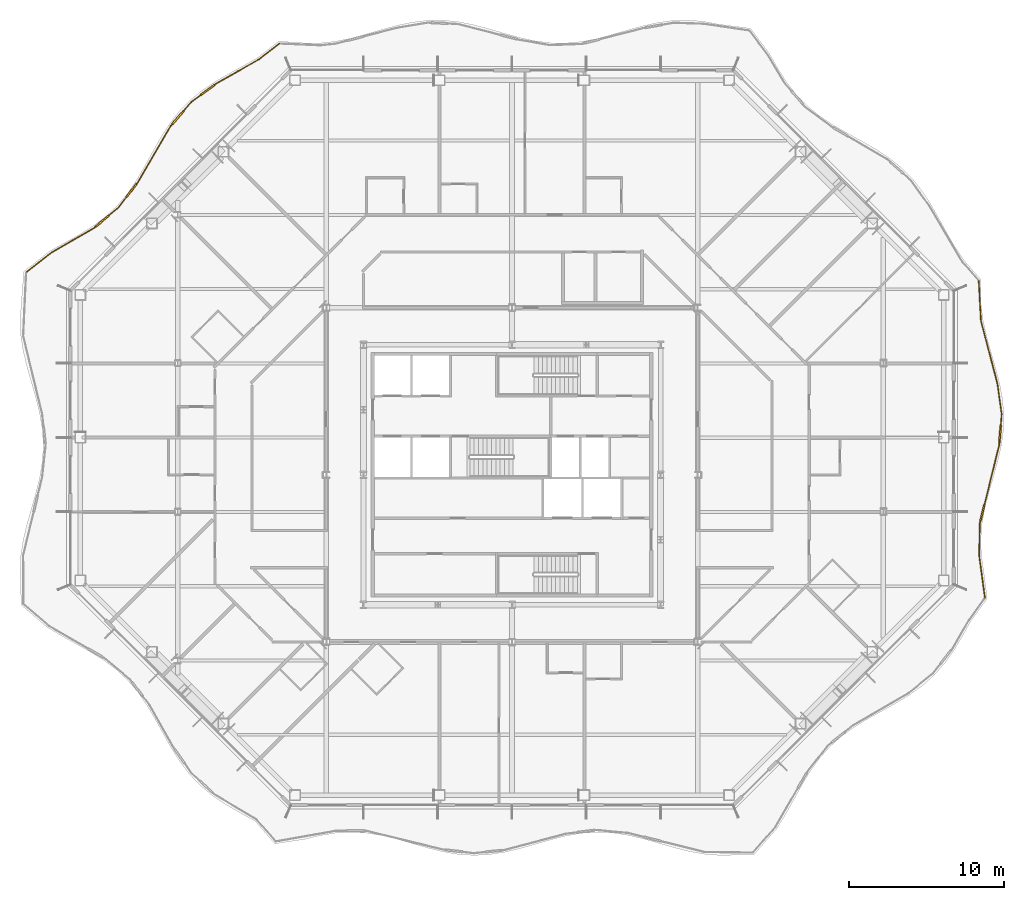
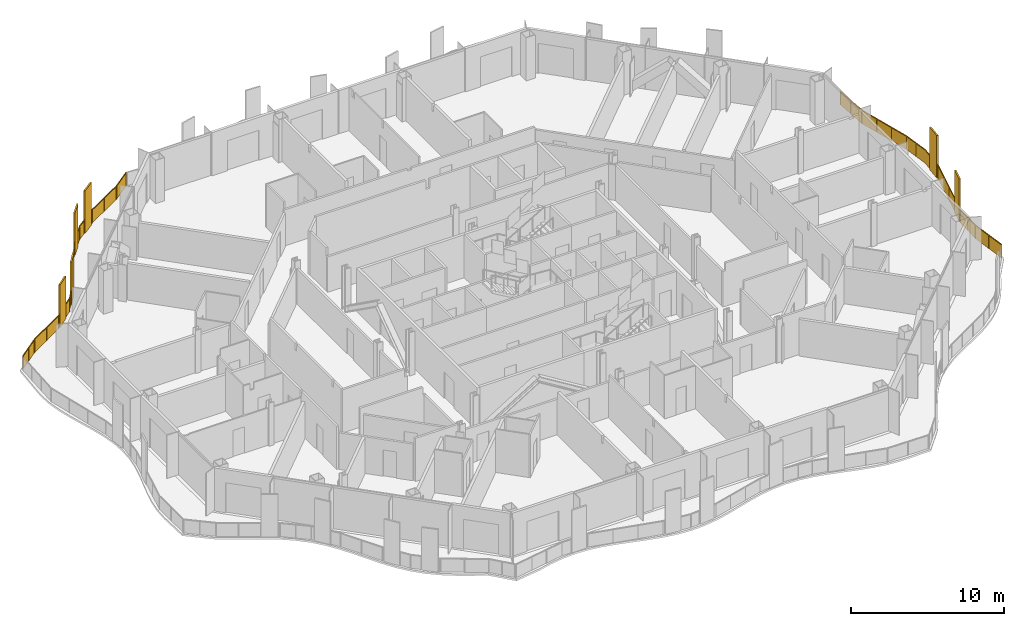
# One storey, part 20 of 22: 2 railings.
"""IFC4 building model written with IfcOpenShell, lengths in metres."""

import ifcopenshell
import ifcopenshell.guid

model = None  # the IFC model being written
_history = None  # IfcOwnerHistory: only IFC2X3 demands one
_inside = {}  # id of a spatial element -> (the spatial element, [elements in it])
_under = {}  # id of a project, library or spatial element -> (it, [spatial elements below it])
_declared = {}  # id of a project -> (the project, [libraries it declares])
_typed = {}  # id of a type object -> (the type object, [elements of that type])
_made_of = {}  # id of a material, layer set ... -> (it, [elements and type objects made of it])


def new_model(schema):
    """Start an empty IFC model of exactly this schema.

    Asked for "IFC4X3", IfcOpenShell would pick the latest addendum, in which some entities
    have other attributes; the version numbers below select the first issue.
    IFC2X3 requires an IfcOwnerHistory on every rooted entity: one is made here for all.
    """
    global model, _history
    if schema == "IFC4X3":
        model = ifcopenshell.file(schema_version=(4, 3, 0, 0))
    else:
        model = ifcopenshell.file(schema=schema)
    _inside.clear()
    _under.clear()
    _declared.clear()
    _typed.clear()
    _made_of.clear()
    _history = None
    if model.schema == "IFC2X3":
        org = make("IfcOrganization", Name="unknown")
        user = make(
            "IfcPersonAndOrganization",
            ThePerson=make("IfcPerson", FamilyName="unknown"),
            TheOrganization=org,
        )
        app = make(
            "IfcApplication",
            ApplicationDeveloper=org,
            Version="unknown",
            ApplicationFullName="unknown",
            ApplicationIdentifier="unknown",
        )
        _history = make(
            "IfcOwnerHistory",
            OwningUser=user,
            OwningApplication=app,
            ChangeAction="ADDED",
            CreationDate=0,
        )
    return model


def make(cls, **values):
    """One entity of the class cls with the attributes given. An attribute that is None is left unset."""
    return model.create_entity(
        cls, **{name: value for name, value in values.items() if value is not None}
    )


def rooted(cls, **values):
    """An entity with a GlobalId (a new one), such as an element, a storey or a relation."""
    return make(cls, GlobalId=ifcopenshell.guid.new(), OwnerHistory=_history, **values)


def si_unit(unit_type, name, prefix=None):
    """IfcSIUnit, for example si_unit("LENGTHUNIT", "METRE", prefix="MILLI")."""
    return make("IfcSIUnit", UnitType=unit_type, Prefix=prefix, Name=name)


def assignment(units):
    """IfcUnitAssignment: the units of a project."""
    return None if units is None else make("IfcUnitAssignment", Units=units)


def point(xyz):
    """IfcCartesianPoint."""
    return None if xyz is None else make("IfcCartesianPoint", Coordinates=xyz)


def direction(xyz):
    """IfcDirection."""
    return None if xyz is None else make("IfcDirection", DirectionRatios=xyz)


def frame(location, z_axis=None, x_axis=None):
    """IfcAxis2Placement3D, a coordinate frame: its origin and axes. An axis left out is left unset."""
    return make(
        "IfcAxis2Placement3D",
        Location=point(location),
        Axis=direction(z_axis),
        RefDirection=direction(x_axis),
    )


def frame_2d(location, x_axis=None):
    """IfcAxis2Placement2D, a coordinate frame in the plane: its origin and x axis."""
    return make(
        "IfcAxis2Placement2D", Location=point(location), RefDirection=direction(x_axis)
    )


def origin():
    """The frame at (0, 0, 0) with its axes left unset."""
    return frame((0.0, 0.0, 0.0))


def origin_2d():
    """The frame at (0, 0) in the plane with its x axis left unset."""
    return frame_2d((0.0, 0.0))


def place(relative_to, where):
    """IfcLocalPlacement: puts the frame where relative to a parent placement (None: the world)."""
    return make(
        "IfcLocalPlacement", PlacementRelTo=relative_to, RelativePlacement=where
    )


def context(
    kind, dimensions, precision=None, world=None, true_north=None, identifier=None
):
    """IfcGeometricRepresentationContext, for example the 3D "Model" context."""
    return make(
        "IfcGeometricRepresentationContext",
        ContextIdentifier=identifier,
        ContextType=kind,
        CoordinateSpaceDimension=dimensions,
        Precision=precision,
        WorldCoordinateSystem=world,
        TrueNorth=true_north,
    )


def subcontext(parent, identifier, kind, view, scale=None):
    """IfcGeometricRepresentationSubContext, for example "Body" below "Model"."""
    return make(
        "IfcGeometricRepresentationSubContext",
        ContextIdentifier=identifier,
        ContextType=kind,
        ParentContext=parent,
        TargetScale=scale,
        TargetView=view,
    )


def project(units=None, contexts=None):
    """IfcProject with its units and contexts."""
    return rooted(
        "IfcProject",
        Name="project",
        RepresentationContexts=contexts,
        UnitsInContext=assignment(units),
    )


def spatial(cls, under=None, at=None, **own):
    """A site, building, storey or space (cls), placed at a placement, below another one or the project."""
    s = rooted(cls, ObjectPlacement=at, **own)
    if under is not None:
        _under.setdefault(under.id(), (under, []))[1].append(s)
    return s


def polyline(points):
    """IfcPolyline through the points."""
    return make("IfcPolyline", Points=[point(p) for p in points])


def profile(cls, at=None, kind="AREA", **sizes):
    """A parametric profile (cls). Its sizes go by their IFC names, for example OverallWidth=200.0."""
    return make(cls, ProfileType=kind, Position=at, **sizes)


def rectangle(**sizes):
    """IfcRectangleProfileDef."""
    return profile("IfcRectangleProfileDef", **sizes)


def outline(outer, holes=None, kind="AREA"):
    """IfcArbitraryClosedProfileDef: a profile drawn as a closed curve; with holes, ...WithVoids."""
    if holes is None:
        return make("IfcArbitraryClosedProfileDef", ProfileType=kind, OuterCurve=outer)
    return make(
        "IfcArbitraryProfileDefWithVoids",
        ProfileType=kind,
        OuterCurve=outer,
        InnerCurves=holes,
    )


def extrude(swept, where, along, depth):
    """IfcExtrudedAreaSolid: the profile swept, set in the frame where, extruded along a direction by depth."""
    return make(
        "IfcExtrudedAreaSolid",
        SweptArea=swept,
        Position=where,
        ExtrudedDirection=direction(along),
        Depth=depth,
    )


def shape(context_of_items, identifier, shape_type, items):
    """IfcShapeRepresentation: the items that make up one representation, for example the "Body"."""
    return make(
        "IfcShapeRepresentation",
        ContextOfItems=context_of_items,
        RepresentationIdentifier=identifier,
        RepresentationType=shape_type,
        Items=items,
    )


def material(Name=None, Category=None):
    """IfcMaterial."""
    return make("IfcMaterial", Name=Name, Category=Category)


def made_of(thing, what):
    """Note that an element or type object is made of a material, layer set ...; save() writes the relation."""
    if what is not None:
        _made_of.setdefault(what.id(), (what, []))[1].append(thing)
    return thing


def type_object(cls, material=None, **own):
    """A type object (cls), such as IfcWallType, which elements share."""
    return made_of(rooted(cls, **own), material)


def element(
    cls,
    number,
    at=None,
    inside=None,
    cuts=None,
    type_object=None,
    material=None,
    context=None,
    identifier="Body",
    shape_type=None,
    held_by="IfcProductDefinitionShape",
    body=None,
    shapes=None,
    **own,
):
    """One element of the class cls, such as IfcWall. Its Tag is "e" and its number.

    at: its placement. inside: the storey or other place that contains it. cuts: it is an
    opening in that element (IfcRelVoidsElement). A single representation is given by context,
    identifier, shape_type and body (its items); several are given by shapes. held_by: the class
    of the entity that holds the representations. save() writes the other relations.
    """
    e = rooted(cls, Tag="e%d" % number, ObjectPlacement=at, **own)
    if body is not None:
        shapes = [shape(context, identifier, shape_type, body)]
    if shapes is not None:
        e.Representation = make(held_by, Representations=shapes)
    if inside is not None:
        _inside.setdefault(inside.id(), (inside, []))[1].append(e)
    if cuts is not None:
        rooted(
            "IfcRelVoidsElement", RelatingBuildingElement=cuts, RelatedOpeningElement=e
        )
    if type_object is not None:
        _typed.setdefault(type_object.id(), (type_object, []))[1].append(e)
    return made_of(e, material)


def aggregate(whole, parts):
    """IfcRelAggregates: a whole, such as a stair, and the parts it consists of."""
    return rooted("IfcRelAggregates", RelatingObject=whole, RelatedObjects=parts)


def save(model, path):
    """Write the relations noted so far, then the file.

    IfcRelAggregates (storeys below a building ...), IfcRelContainedInSpatialStructure (elements
    in a storey), IfcRelDefinesByType, IfcRelAssociatesMaterial and IfcRelDeclares: one each for
    every whole, place, type object, material and project.
    """
    for whole, parts in _under.values():
        aggregate(whole, parts)
    for where, things in _inside.values():
        rooted(
            "IfcRelContainedInSpatialStructure",
            RelatedElements=things,
            RelatingStructure=where,
        )
    for kind, things in _typed.values():
        rooted("IfcRelDefinesByType", RelatedObjects=things, RelatingType=kind)
    for what, things in _made_of.values():
        rooted("IfcRelAssociatesMaterial", RelatedObjects=things, RelatingMaterial=what)
    for by, libraries in _declared.values():
        rooted("IfcRelDeclares", RelatingContext=by, RelatedDefinitions=libraries)
    model.write(path)


model = new_model("IFC4")

# Units and contexts
model_context = context("Model", 3, precision=1e-05, world=origin(), true_north=direction((0.0, 1.0)))
body_context = subcontext(model_context, "Body", "Model", "MODEL_VIEW")
ifc_project = project(units=[si_unit("LENGTHUNIT", "METRE"), si_unit("AREAUNIT", "SQUARE_METRE"), si_unit("VOLUMEUNIT", "CUBIC_METRE"), si_unit("PLANEANGLEUNIT", "RADIAN"), si_unit("MASSUNIT", "GRAM", prefix="KILO")], contexts=[model_context])

# Site, building, storey
site_placement = place(None, origin())
site = spatial("IfcSite", under=ifc_project, at=site_placement, CompositionType="ELEMENT")
building_placement = place(site_placement, origin())
building = spatial("IfcBuilding", under=site, at=building_placement, Name="Cairn Pilgrim Tower", CompositionType="ELEMENT")
storey_placement = place(building_placement, frame((0.0, 0.0, 147.0)))
storey = spatial("IfcBuildingStorey", under=building, at=storey_placement, Name="L36", CompositionType="ELEMENT", Elevation=147.0)

# Railings
ifc_material = material(Name="Bronze anodised aluminium rail, posts and fin screens with laminated glass infill", Category="aluminium")
railing_type = type_object("IfcRailingType", Name="BALCONY GUARD WITH FIN SCREENS", PredefinedType="GUARDRAIL", material=ifc_material)
railing_1_placement = place(storey_placement, frame((37.76220703125, -5.555419921875, 0.0)))
element("IfcRailing", 1, at=railing_1_placement, inside=storey, type_object=railing_type, Name="Balcony guard BGF-3 with fin screens", PredefinedType="GUARDRAIL", context=body_context, shape_type="SweptSolid", body=[
    extrude(rectangle(XDim=0.050048828125, YDim=0.050048828125, at=origin_2d()), frame((0.0, 0.0, 1.0751953125), z_axis=(-0.134075645406, 0.990971100138, 0.0), x_axis=(-0.990971100138, -0.134075645406, 0.0)), (0.0, 0.0, 1.0), 2.793212890625),
    extrude(rectangle(XDim=0.050048828125, YDim=0.050048828125, at=origin_2d()), frame((-0.37451171875, 2.76806640625, 1.0751953125), z_axis=(0.022153246739, 0.999754586716, 0.0), x_axis=(-0.999754586716, 0.022153246739, 0.0)), (0.0, 0.0, 1.0), 2.0498046875),
    extrude(rectangle(XDim=1.10009765625, YDim=0.110107421875, at=origin_2d()), frame((-0.1611328125, 5.496826171875, 0.0), z_axis=(0.0, 0.0, 1.0), x_axis=(0.239965293048, 0.970781467753, 0.0)), (0.0, 0.0, 1.0), 3.39990234375),
    extrude(rectangle(XDim=0.050048828125, YDim=0.050048828125, at=origin_2d()), frame((-0.3291015625, 4.8173828125, 1.0751953125), z_axis=(0.239965293048, 0.970781467753, 0.0), x_axis=(-0.970781467753, 0.239965293048, 0.0)), (0.0, 0.0, 1.0), 0.14990234375),
    extrude(rectangle(XDim=0.050048828125, YDim=0.050048828125, at=origin_2d()), frame((-0.029052734375, 6.03076171875, 1.0751953125), z_axis=(0.239965293048, 0.970781467753, 0.0), x_axis=(-0.970781467753, 0.239965293048, 0.0)), (0.0, 0.0, 1.0), 3.959228515625),
    extrude(rectangle(XDim=1.10009765625, YDim=0.110107421875, at=origin_2d()), frame((0.9775390625, 10.572021484375, 0.0), z_axis=(0.0, 0.0, 1.0), x_axis=(0.080842100176, 0.996726920896, 0.0)), (0.0, 0.0, 1.0), 3.39990234375),
    extrude(rectangle(XDim=0.050048828125, YDim=0.050048828125, at=origin_2d()), frame((0.9208984375, 9.874267578125, 1.0751953125), z_axis=(0.080842100176, 0.996726920896, 0.0), x_axis=(-0.996726920896, 0.080842100176, 0.0)), (0.0, 0.0, 1.0), 0.14990234375),
    extrude(rectangle(XDim=0.050048828125, YDim=0.050048828125, at=origin_2d()), frame((1.02197265625, 11.1201171875, 1.0751953125), z_axis=(0.080842100176, 0.996726920896, 0.0), x_axis=(-0.996726920896, 0.080842100176, 0.0)), (0.0, 0.0, 1.0), 0.749267578125),
    extrude(rectangle(XDim=0.050048828125, YDim=0.050048828125, at=origin_2d()), frame((1.08251953125, 11.866943359375, 1.0751953125), z_axis=(-0.137994277293, 0.990433026224, 0.0), x_axis=(-0.990433026224, -0.137994277293, 0.0)), (0.0, 0.0, 1.0), 2.01513671875),
    extrude(rectangle(XDim=0.050048828125, YDim=0.050048828125, at=origin_2d()), frame((0.804443359375, 13.86279296875, 1.0751953125), z_axis=(-0.253870159301, 0.967238306839, 0.0), x_axis=(-0.967238306839, -0.253870159301, 0.0)), (0.0, 0.0, 1.0), 4.185302734375),
    extrude(rectangle(XDim=0.050048828125, YDim=0.050048828125, at=origin_2d()), frame((-0.258056640625, 17.910888671875, 1.0751953125), z_axis=(-0.054897930237, 0.998491971553, 0.0), x_axis=(-0.998491971553, -0.054897930237, 0.0)), (0.0, 0.0, 1.0), 2.552734375),
    extrude(rectangle(XDim=0.050048828125, YDim=0.050048828125, at=origin_2d()), origin(), (0.0, 0.0, 1.0), 1.050048828125),
    extrude(rectangle(XDim=0.050048828125, YDim=0.050048828125, at=origin_2d()), frame((-0.187255859375, 1.384033203125, 0.0)), (0.0, 0.0, 1.0), 1.050048828125),
    extrude(rectangle(XDim=0.050048828125, YDim=0.050048828125, at=origin_2d()), frame((-0.37451171875, 2.76806640625, 0.0)), (0.0, 0.0, 1.0), 1.050048828125),
    extrude(rectangle(XDim=0.050048828125, YDim=0.050048828125, at=origin_2d()), frame((-0.351806640625, 3.792724609375, 0.0)), (0.0, 0.0, 1.0), 1.050048828125),
    extrude(rectangle(XDim=0.050048828125, YDim=0.050048828125, at=origin_2d()), frame((-0.3291015625, 4.8173828125, 0.0)), (0.0, 0.0, 1.0), 1.050048828125),
    extrude(rectangle(XDim=0.050048828125, YDim=0.050048828125, at=origin_2d()), frame((-0.299072265625, 4.938720703125, 0.0)), (0.0, 0.0, 1.0), 1.050048828125),
    extrude(rectangle(XDim=0.050048828125, YDim=0.050048828125, at=origin_2d()), frame((-0.023193359375, 6.054931640625, 0.0)), (0.0, 0.0, 1.0), 1.050048828125),
    extrude(rectangle(XDim=0.050048828125, YDim=0.050048828125, at=origin_2d()), frame((0.29150390625, 7.328125, 0.0)), (0.0, 0.0, 1.0), 1.050048828125),
    extrude(rectangle(XDim=0.050048828125, YDim=0.050048828125, at=origin_2d()), frame((0.606201171875, 8.60107421875, 0.0)), (0.0, 0.0, 1.0), 1.050048828125),
    extrude(rectangle(XDim=0.050048828125, YDim=0.050048828125, at=origin_2d()), frame((0.9208984375, 9.874267578125, 0.0)), (0.0, 0.0, 1.0), 1.050048828125),
    extrude(rectangle(XDim=0.050048828125, YDim=0.050048828125, at=origin_2d()), frame((0.930908203125, 9.998779296875, 0.0)), (0.0, 0.0, 1.0), 1.050048828125),
    extrude(rectangle(XDim=0.050048828125, YDim=0.050048828125, at=origin_2d()), frame((1.02392578125, 11.14501953125, 0.0)), (0.0, 0.0, 1.0), 1.050048828125),
    extrude(rectangle(XDim=0.050048828125, YDim=0.050048828125, at=origin_2d()), frame((1.08251953125, 11.866943359375, 0.0)), (0.0, 0.0, 1.0), 1.050048828125),
    extrude(rectangle(XDim=0.050048828125, YDim=0.050048828125, at=origin_2d()), frame((0.943359375, 12.86474609375, 0.0)), (0.0, 0.0, 1.0), 1.050048828125),
    extrude(rectangle(XDim=0.050048828125, YDim=0.050048828125, at=origin_2d()), frame((0.804443359375, 13.86279296875, 0.0)), (0.0, 0.0, 1.0), 1.050048828125),
    extrude(rectangle(XDim=0.050048828125, YDim=0.050048828125, at=origin_2d()), frame((0.4501953125, 15.212158203125, 0.0)), (0.0, 0.0, 1.0), 1.050048828125),
    extrude(rectangle(XDim=0.050048828125, YDim=0.050048828125, at=origin_2d()), frame((0.09619140625, 16.5615234375, 0.0)), (0.0, 0.0, 1.0), 1.050048828125),
    extrude(rectangle(XDim=0.050048828125, YDim=0.050048828125, at=origin_2d()), frame((-0.258056640625, 17.910888671875, 0.0)), (0.0, 0.0, 1.0), 1.050048828125),
    extrude(rectangle(XDim=0.050048828125, YDim=0.050048828125, at=origin_2d()), frame((-0.328125, 19.185302734375, 0.0)), (0.0, 0.0, 1.0), 1.050048828125),
    extrude(rectangle(XDim=0.050048828125, YDim=0.050048828125, at=origin_2d()), frame((-0.398193359375, 20.459716796875, 0.0)), (0.0, 0.0, 1.0), 1.050048828125),
    extrude(outline(polyline([(0.02490234375, 0.0), (1.37158203125, 0.0), (1.37158203125, 1.050048828125), (0.02490234375, 1.050048828125), (0.02490234375, 0.0)])), frame((-0.005859375, -0.000732421875, 0.0), z_axis=(0.990971100138, 0.134075645406, 0.0), x_axis=(-0.134075645406, 0.990971100138, 0.0)), (0.0, 0.0, 1.0), 0.011962890625),
    extrude(outline(polyline([(0.02490234375, 0.0), (1.37158203125, 0.0), (1.37158203125, 1.050048828125), (0.02490234375, 1.050048828125), (0.02490234375, 0.0)])), frame((-0.193115234375, 1.38330078125, 0.0), z_axis=(0.990971100138, 0.134075645406, 0.0), x_axis=(-0.134075645406, 0.990971100138, 0.0)), (0.0, 0.0, 1.0), 0.011962890625),
    extrude(outline(polyline([(0.02490234375, 0.0), (1.0, 0.0), (1.0, 1.050048828125), (0.02490234375, 1.050048828125), (0.02490234375, 0.0)])), frame((-0.38037109375, 2.768310546875, 0.0), z_axis=(0.999754586716, -0.022153246739, 0.0), x_axis=(0.022153246739, 0.999754586716, 0.0)), (0.0, 0.0, 1.0), 0.011962890625),
    extrude(outline(polyline([(0.02490234375, 0.0), (1.0, 0.0), (1.0, 1.050048828125), (0.02490234375, 1.050048828125), (0.02490234375, 0.0)])), frame((-0.357666015625, 3.79296875, 0.0), z_axis=(0.999754586716, -0.022153246739, 0.0), x_axis=(0.022153246739, 0.999754586716, 0.0)), (0.0, 0.0, 1.0), 0.011962890625),
    extrude(outline(polyline([(0.02490234375, 0.0), (0.099853515625, 0.0), (0.099853515625, 1.050048828125), (0.02490234375, 1.050048828125), (0.02490234375, 0.0)])), frame((-0.3349609375, 4.81884765625, 0.0), z_axis=(0.970781467753, -0.239965293048, 0.0), x_axis=(0.239965293048, 0.970781467753, 0.0)), (0.0, 0.0, 1.0), 0.011962890625),
    extrude(outline(polyline([(0.02490234375, 0.0), (1.286376953125, 0.0), (1.286376953125, 1.050048828125), (0.02490234375, 1.050048828125), (0.02490234375, 0.0)])), frame((-0.029052734375, 6.056396484375, 0.0), z_axis=(0.970781467753, -0.239965293048, 0.0), x_axis=(0.239965293048, 0.970781467753, 0.0)), (0.0, 0.0, 1.0), 0.011962890625),
    extrude(outline(polyline([(0.02490234375, 0.0), (1.286376953125, 0.0), (1.286376953125, 1.050048828125), (0.02490234375, 1.050048828125), (0.02490234375, 0.0)])), frame((0.28564453125, 7.32958984375, 0.0), z_axis=(0.970781467753, -0.239965293048, 0.0), x_axis=(0.239965293048, 0.970781467753, 0.0)), (0.0, 0.0, 1.0), 0.011962890625),
    extrude(outline(polyline([(0.02490234375, 0.0), (1.286376953125, 0.0), (1.286376953125, 1.050048828125), (0.02490234375, 1.050048828125), (0.02490234375, 0.0)])), frame((0.600341796875, 8.6025390625, 0.0), z_axis=(0.970781467753, -0.239965293048, 0.0), x_axis=(0.239965293048, 0.970781467753, 0.0)), (0.0, 0.0, 1.0), 0.011962890625),
    extrude(outline(polyline([(0.02490234375, 0.0), (0.099853515625, 0.0), (0.099853515625, 1.050048828125), (0.02490234375, 1.050048828125), (0.02490234375, 0.0)])), frame((0.9150390625, 9.874755859375, 0.0), z_axis=(0.996726920896, -0.080842100176, 0.0), x_axis=(0.080842100176, 0.996726920896, 0.0)), (0.0, 0.0, 1.0), 0.011962890625),
    extrude(outline(polyline([(0.02490234375, 0.0), (0.69921875, 0.0), (0.69921875, 1.050048828125), (0.02490234375, 1.050048828125), (0.02490234375, 0.0)])), frame((1.01806640625, 11.1455078125, 0.0), z_axis=(0.996726920896, -0.080842100176, 0.0), x_axis=(0.080842100176, 0.996726920896, 0.0)), (0.0, 0.0, 1.0), 0.011962890625),
    extrude(outline(polyline([(0.02490234375, 0.0), (0.982421875, 0.0), (0.982421875, 1.050048828125), (0.02490234375, 1.050048828125), (0.02490234375, 0.0)])), frame((1.07666015625, 11.8662109375, 0.0), z_axis=(0.990433026224, 0.137994277293, 0.0), x_axis=(-0.137994277293, 0.990433026224, 0.0)), (0.0, 0.0, 1.0), 0.011962890625),
    extrude(outline(polyline([(0.02490234375, 0.0), (0.982421875, 0.0), (0.982421875, 1.050048828125), (0.02490234375, 1.050048828125), (0.02490234375, 0.0)])), frame((0.9375, 12.864013671875, 0.0), z_axis=(0.990433026224, 0.137994277293, 0.0), x_axis=(-0.137994277293, 0.990433026224, 0.0)), (0.0, 0.0, 1.0), 0.011962890625),
    extrude(outline(polyline([(0.02490234375, 0.0), (1.3701171875, 0.0), (1.3701171875, 1.050048828125), (0.02490234375, 1.050048828125), (0.02490234375, 0.0)])), frame((0.798583984375, 13.861328125, 0.0), z_axis=(0.967238306839, 0.253870159301, 0.0), x_axis=(-0.253870159301, 0.967238306839, 0.0)), (0.0, 0.0, 1.0), 0.011962890625),
    extrude(outline(polyline([(0.02490234375, 0.0), (1.3701171875, 0.0), (1.3701171875, 1.050048828125), (0.02490234375, 1.050048828125), (0.02490234375, 0.0)])), frame((0.444580078125, 15.210693359375, 0.0), z_axis=(0.967238306839, 0.253870159301, 0.0), x_axis=(-0.253870159301, 0.967238306839, 0.0)), (0.0, 0.0, 1.0), 0.011962890625),
    extrude(outline(polyline([(0.02490234375, 0.0), (1.3701171875, 0.0), (1.3701171875, 1.050048828125), (0.02490234375, 1.050048828125), (0.02490234375, 0.0)])), frame((0.09033203125, 16.56005859375, 0.0), z_axis=(0.967238306839, 0.253870159301, 0.0), x_axis=(-0.253870159301, 0.967238306839, 0.0)), (0.0, 0.0, 1.0), 0.011962890625),
    extrude(outline(polyline([(0.02490234375, 0.0), (1.251220703125, 0.0), (1.251220703125, 1.050048828125), (0.02490234375, 1.050048828125), (0.02490234375, 0.0)])), frame((-0.263916015625, 17.91064453125, 0.0), z_axis=(0.998491971553, 0.054897930237, 0.0), x_axis=(-0.054897930237, 0.998491971553, 0.0)), (0.0, 0.0, 1.0), 0.011962890625),
    extrude(outline(polyline([(0.02490234375, 0.0), (1.251220703125, 0.0), (1.251220703125, 1.050048828125), (0.02490234375, 1.050048828125), (0.02490234375, 0.0)])), frame((-0.333984375, 19.18505859375, 0.0), z_axis=(0.998491971553, 0.054897930237, 0.0), x_axis=(-0.054897930237, 0.998491971553, 0.0)), (0.0, 0.0, 1.0), 0.011962890625),
])
railing_2_placement = place(storey_placement, frame((-7.827392578125, 30.27880859375, 0.0)))
element("IfcRailing", 2, at=railing_2_placement, inside=storey, type_object=railing_type, Name="Balcony guard BGF-6 with fin screens", PredefinedType="GUARDRAIL", context=body_context, shape_type="SweptSolid", body=[
    extrude(rectangle(XDim=0.050048828125, YDim=0.050048828125, at=origin_2d()), frame((0.0, 0.0, 1.0751953125), z_axis=(-0.790134189019, -0.612933898022, 0.0), x_axis=(0.612933898022, -0.790134189019, 0.0)), (0.0, 0.0, 1.0), 1.6630859375),
    extrude(rectangle(XDim=0.050048828125, YDim=0.050048828125, at=origin_2d()), frame((-1.31396484375, -1.019287109375, 1.0751953125), z_axis=(-0.870207037375, -0.492686220736, 0.0), x_axis=(0.492686220736, -0.870207037375, 0.0)), (0.0, 0.0, 1.0), 3.17138671875),
    extrude(rectangle(XDim=1.10009765625, YDim=0.110107421875, at=origin_2d()), frame((-4.635986328125, -2.9990234375, 0.0), z_axis=(0.0, 0.0, 1.0), x_axis=(-0.802916298604, -0.596091786084, 0.0)), (0.0, 0.0, 1.0), 3.39990234375),
    extrude(rectangle(XDim=0.050048828125, YDim=0.050048828125, at=origin_2d()), frame((-4.07373046875, -2.581787109375, 1.0751953125), z_axis=(-0.802916298604, -0.596091786084, 0.0), x_axis=(0.596091786084, -0.802916298604, 0.0)), (0.0, 0.0, 1.0), 0.150146484375),
    extrude(rectangle(XDim=0.050048828125, YDim=0.050048828125, at=origin_2d()), frame((-5.077392578125, -3.326904296875, 1.0751953125), z_axis=(-0.802916298604, -0.596091786084, 0.0), x_axis=(0.596091786084, -0.802916298604, 0.0)), (0.0, 0.0, 1.0), 0.782470703125),
    extrude(rectangle(XDim=1.10009765625, YDim=0.110107421875, at=origin_2d()), frame((-6.563232421875, -4.7861328125, 0.0), z_axis=(0.0, 0.0, 1.0), x_axis=(-0.653705185106, -0.756749318444, 0.0)), (0.0, 0.0, 1.0), 3.39990234375),
    extrude(rectangle(XDim=0.050048828125, YDim=0.050048828125, at=origin_2d()), frame((-5.705810546875, -3.79345703125, 1.0751953125), z_axis=(-0.653705185106, -0.756749318444, 0.0), x_axis=(0.756749318444, -0.653705185106, 0.0)), (0.0, 0.0, 1.0), 0.76171875),
    extrude(rectangle(XDim=0.050048828125, YDim=0.050048828125, at=origin_2d()), frame((-6.9228515625, -5.202392578125, 1.0751953125), z_axis=(-0.653705185106, -0.756749318444, 0.0), x_axis=(0.756749318444, -0.653705185106, 0.0)), (0.0, 0.0, 1.0), 0.149658203125),
    extrude(rectangle(XDim=0.050048828125, YDim=0.050048828125, at=origin_2d()), frame((-7.020751953125, -5.315673828125, 1.0751953125), z_axis=(-0.504423051569, -0.863456649199, 0.0), x_axis=(0.863456649199, -0.504423051569, 0.0)), (0.0, 0.0, 1.0), 4.20654296875),
    extrude(rectangle(XDim=1.10009765625, YDim=0.110107421875, at=origin_2d()), frame((-9.567626953125, -9.50390625, 0.0), z_axis=(0.0, 0.0, 1.0), x_axis=(-0.607297641013, -0.794474401866, 0.0)), (0.0, 0.0, 1.0), 3.39990234375),
    extrude(rectangle(XDim=0.050048828125, YDim=0.050048828125, at=origin_2d()), frame((-9.142578125, -8.94775390625, 1.0751953125), z_axis=(-0.607297641013, -0.794474401866, 0.0), x_axis=(0.794474401866, -0.607297641013, 0.0)), (0.0, 0.0, 1.0), 0.150146484375),
    extrude(rectangle(XDim=0.050048828125, YDim=0.050048828125, at=origin_2d()), frame((-9.90185546875, -9.94091796875, 1.0751953125), z_axis=(-0.607297641013, -0.794474401866, 0.0), x_axis=(0.794474401866, -0.607297641013, 0.0)), (0.0, 0.0, 1.0), 0.830322265625),
    extrude(rectangle(XDim=1.10009765625, YDim=0.110107421875, at=origin_2d()), frame((-11.460205078125, -11.482666015625, 0.0), z_axis=(0.0, 0.0, 1.0), x_axis=(-0.766946262501, -0.641711329521, 0.0)), (0.0, 0.0, 1.0), 3.39990234375),
    extrude(rectangle(XDim=0.050048828125, YDim=0.050048828125, at=origin_2d()), frame((-10.406005859375, -10.6005859375, 1.0751953125), z_axis=(-0.766946262501, -0.641711329521, 0.0), x_axis=(0.641711329521, -0.766946262501, 0.0)), (0.0, 0.0, 1.0), 0.824462890625),
    extrude(rectangle(XDim=0.050048828125, YDim=0.050048828125, at=origin_2d()), frame((-11.882080078125, -11.83544921875, 1.0751953125), z_axis=(-0.766946262501, -0.641711329521, 0.0), x_axis=(0.641711329521, -0.766946262501, 0.0)), (0.0, 0.0, 1.0), 0.149658203125),
    extrude(rectangle(XDim=0.050048828125, YDim=0.050048828125, at=origin_2d()), frame((-11.996826171875, -11.931640625, 1.0751953125), z_axis=(-0.866141917885, -0.499798137333, 0.0), x_axis=(0.499798137333, -0.866141917885, 0.0)), (0.0, 0.0, 1.0), 3.164794921875),
    extrude(rectangle(XDim=0.050048828125, YDim=0.050048828125, at=origin_2d()), frame((-14.738037109375, -13.513427734375, 1.0751953125), z_axis=(-0.785085279892, -0.619387684166, 0.0), x_axis=(0.619387684166, -0.785085279892, 0.0)), (0.0, 0.0, 1.0), 2.0361328125),
    extrude(rectangle(XDim=0.050048828125, YDim=0.050048828125, at=origin_2d()), origin(), (0.0, 0.0, 1.0), 1.050048828125),
    extrude(rectangle(XDim=0.050048828125, YDim=0.050048828125, at=origin_2d()), frame((-1.31396484375, -1.019287109375, 0.0)), (0.0, 0.0, 1.0), 1.050048828125),
    extrude(rectangle(XDim=0.050048828125, YDim=0.050048828125, at=origin_2d()), frame((-2.69384765625, -1.800537109375, 0.0)), (0.0, 0.0, 1.0), 1.050048828125),
    extrude(rectangle(XDim=0.050048828125, YDim=0.050048828125, at=origin_2d()), frame((-4.07373046875, -2.581787109375, 0.0)), (0.0, 0.0, 1.0), 1.050048828125),
    extrude(rectangle(XDim=0.050048828125, YDim=0.050048828125, at=origin_2d()), frame((-4.174072265625, -2.65625, 0.0)), (0.0, 0.0, 1.0), 1.050048828125),
    extrude(rectangle(XDim=0.050048828125, YDim=0.050048828125, at=origin_2d()), frame((-5.09765625, -3.341796875, 0.0)), (0.0, 0.0, 1.0), 1.050048828125),
    extrude(rectangle(XDim=0.050048828125, YDim=0.050048828125, at=origin_2d()), frame((-5.705810546875, -3.79345703125, 0.0)), (0.0, 0.0, 1.0), 1.050048828125),
    extrude(rectangle(XDim=0.050048828125, YDim=0.050048828125, at=origin_2d()), frame((-6.1875, -4.35107421875, 0.0)), (0.0, 0.0, 1.0), 1.050048828125),
    extrude(rectangle(XDim=0.050048828125, YDim=0.050048828125, at=origin_2d()), frame((-6.939208984375, -5.22119140625, 0.0)), (0.0, 0.0, 1.0), 1.050048828125),
    extrude(rectangle(XDim=0.050048828125, YDim=0.050048828125, at=origin_2d()), frame((-7.020751953125, -5.315673828125, 0.0)), (0.0, 0.0, 1.0), 1.050048828125),
    extrude(rectangle(XDim=0.050048828125, YDim=0.050048828125, at=origin_2d()), frame((-7.72802734375, -6.5263671875, 0.0)), (0.0, 0.0, 1.0), 1.050048828125),
    extrude(rectangle(XDim=0.050048828125, YDim=0.050048828125, at=origin_2d()), frame((-8.435302734375, -7.737060546875, 0.0)), (0.0, 0.0, 1.0), 1.050048828125),
    extrude(rectangle(XDim=0.050048828125, YDim=0.050048828125, at=origin_2d()), frame((-9.142578125, -8.94775390625, 0.0)), (0.0, 0.0, 1.0), 1.050048828125),
    extrude(rectangle(XDim=0.050048828125, YDim=0.050048828125, at=origin_2d()), frame((-9.218505859375, -9.047119140625, 0.0)), (0.0, 0.0, 1.0), 1.050048828125),
    extrude(rectangle(XDim=0.050048828125, YDim=0.050048828125, at=origin_2d()), frame((-9.9169921875, -9.960693359375, 0.0)), (0.0, 0.0, 1.0), 1.050048828125),
    extrude(rectangle(XDim=0.050048828125, YDim=0.050048828125, at=origin_2d()), frame((-10.406005859375, -10.6005859375, 0.0)), (0.0, 0.0, 1.0), 1.050048828125),
    extrude(rectangle(XDim=0.050048828125, YDim=0.050048828125, at=origin_2d()), frame((-11.01904296875, -11.113525390625, 0.0)), (0.0, 0.0, 1.0), 1.050048828125),
    extrude(rectangle(XDim=0.050048828125, YDim=0.050048828125, at=origin_2d()), frame((-11.901123046875, -11.8515625, 0.0)), (0.0, 0.0, 1.0), 1.050048828125),
    extrude(rectangle(XDim=0.050048828125, YDim=0.050048828125, at=origin_2d()), frame((-11.996826171875, -11.931640625, 0.0)), (0.0, 0.0, 1.0), 1.050048828125),
    extrude(rectangle(XDim=0.050048828125, YDim=0.050048828125, at=origin_2d()), frame((-13.367431640625, -12.72265625, 0.0)), (0.0, 0.0, 1.0), 1.050048828125),
    extrude(rectangle(XDim=0.050048828125, YDim=0.050048828125, at=origin_2d()), frame((-14.738037109375, -13.513427734375, 0.0)), (0.0, 0.0, 1.0), 1.050048828125),
    extrude(rectangle(XDim=0.050048828125, YDim=0.050048828125, at=origin_2d()), frame((-15.537353515625, -14.14404296875, 0.0)), (0.0, 0.0, 1.0), 1.050048828125),
    extrude(rectangle(XDim=0.050048828125, YDim=0.050048828125, at=origin_2d()), frame((-16.336669921875, -14.774658203125, 0.0)), (0.0, 0.0, 1.0), 1.050048828125),
    extrude(outline(polyline([(0.02490234375, 0.0), (1.637939453125, 0.0), (1.637939453125, 1.050048828125), (0.02490234375, 1.050048828125), (0.02490234375, 0.0)])), frame((0.003662109375, -0.004638671875, 0.0), z_axis=(-0.612933898022, 0.790134189019, 0.0), x_axis=(-0.790134189019, -0.612933898022, 0.0)), (0.0, 0.0, 1.0), 0.011962890625),
    extrude(outline(polyline([(0.02490234375, 0.0), (1.560791015625, 0.0), (1.560791015625, 1.050048828125), (0.02490234375, 1.050048828125), (0.02490234375, 0.0)])), frame((-1.31103515625, -1.0244140625, 0.0), z_axis=(-0.492686220736, 0.870207037375, 0.0), x_axis=(-0.870207037375, -0.492686220736, 0.0)), (0.0, 0.0, 1.0), 0.011962890625),
    extrude(outline(polyline([(0.02490234375, 0.0), (1.560791015625, 0.0), (1.560791015625, 1.050048828125), (0.02490234375, 1.050048828125), (0.02490234375, 0.0)])), frame((-2.69091796875, -1.8056640625, 0.0), z_axis=(-0.492686220736, 0.870207037375, 0.0), x_axis=(-0.870207037375, -0.492686220736, 0.0)), (0.0, 0.0, 1.0), 0.011962890625),
    extrude(outline(polyline([(0.02490234375, 0.0), (0.10009765625, 0.0), (0.10009765625, 1.050048828125), (0.02490234375, 1.050048828125), (0.02490234375, 0.0)])), frame((-4.070068359375, -2.586669921875, 0.0), z_axis=(-0.596091786084, 0.802916298604, 0.0), x_axis=(-0.802916298604, -0.596091786084, 0.0)), (0.0, 0.0, 1.0), 0.011962890625),
    extrude(outline(polyline([(0.02490234375, 0.0), (0.732421875, 0.0), (0.732421875, 1.050048828125), (0.02490234375, 1.050048828125), (0.02490234375, 0.0)])), frame((-5.093994140625, -3.3466796875, 0.0), z_axis=(-0.596091786084, 0.802916298604, 0.0), x_axis=(-0.802916298604, -0.596091786084, 0.0)), (0.0, 0.0, 1.0), 0.011962890625),
    extrude(outline(polyline([(0.02490234375, 0.0), (0.711669921875, 0.0), (0.711669921875, 1.050048828125), (0.02490234375, 1.050048828125), (0.02490234375, 0.0)])), frame((-5.701171875, -3.79736328125, 0.0), z_axis=(-0.756749318444, 0.653705185106, 0.0), x_axis=(-0.653705185106, -0.756749318444, 0.0)), (0.0, 0.0, 1.0), 0.011962890625),
    extrude(outline(polyline([(0.02490234375, 0.0), (0.099609375, 0.0), (0.099609375, 1.050048828125), (0.02490234375, 1.050048828125), (0.02490234375, 0.0)])), frame((-6.9345703125, -5.22509765625, 0.0), z_axis=(-0.756749318444, 0.653705185106, 0.0), x_axis=(-0.653705185106, -0.756749318444, 0.0)), (0.0, 0.0, 1.0), 0.011962890625),
    extrude(outline(polyline([(0.02490234375, 0.0), (1.377197265625, 0.0), (1.377197265625, 1.050048828125), (0.02490234375, 1.050048828125), (0.02490234375, 0.0)])), frame((-7.015625, -5.318603515625, 0.0), z_axis=(-0.863456649199, 0.504423051569, 0.0), x_axis=(-0.504423051569, -0.863456649199, 0.0)), (0.0, 0.0, 1.0), 0.011962890625),
    extrude(outline(polyline([(0.02490234375, 0.0), (1.377197265625, 0.0), (1.377197265625, 1.050048828125), (0.02490234375, 1.050048828125), (0.02490234375, 0.0)])), frame((-7.722900390625, -6.529296875, 0.0), z_axis=(-0.863456649199, 0.504423051569, 0.0), x_axis=(-0.504423051569, -0.863456649199, 0.0)), (0.0, 0.0, 1.0), 0.011962890625),
    extrude(outline(polyline([(0.02490234375, 0.0), (1.377197265625, 0.0), (1.377197265625, 1.050048828125), (0.02490234375, 1.050048828125), (0.02490234375, 0.0)])), frame((-8.43017578125, -7.739990234375, 0.0), z_axis=(-0.863456649199, 0.504423051569, 0.0), x_axis=(-0.504423051569, -0.863456649199, 0.0)), (0.0, 0.0, 1.0), 0.011962890625),
    extrude(outline(polyline([(0.02490234375, 0.0), (0.10009765625, 0.0), (0.10009765625, 1.050048828125), (0.02490234375, 1.050048828125), (0.02490234375, 0.0)])), frame((-9.137939453125, -8.951416015625, 0.0), z_axis=(-0.794474401866, 0.607297641013, 0.0), x_axis=(-0.607297641013, -0.794474401866, 0.0)), (0.0, 0.0, 1.0), 0.011962890625),
    extrude(outline(polyline([(0.02490234375, 0.0), (0.7802734375, 0.0), (0.7802734375, 1.050048828125), (0.02490234375, 1.050048828125), (0.02490234375, 0.0)])), frame((-9.912109375, -9.96435546875, 0.0), z_axis=(-0.794474401866, 0.607297641013, 0.0), x_axis=(-0.607297641013, -0.794474401866, 0.0)), (0.0, 0.0, 1.0), 0.011962890625),
    extrude(outline(polyline([(0.02490234375, 0.0), (0.7744140625, 0.0), (0.7744140625, 1.050048828125), (0.02490234375, 1.050048828125), (0.02490234375, 0.0)])), frame((-10.402099609375, -10.605224609375, 0.0), z_axis=(-0.641711329521, 0.766946262501, 0.0), x_axis=(-0.766946262501, -0.641711329521, 0.0)), (0.0, 0.0, 1.0), 0.011962890625),
    extrude(outline(polyline([(0.02490234375, 0.0), (0.099609375, 0.0), (0.099609375, 1.050048828125), (0.02490234375, 1.050048828125), (0.02490234375, 0.0)])), frame((-11.897216796875, -11.856201171875, 0.0), z_axis=(-0.641711329521, 0.766946262501, 0.0), x_axis=(-0.766946262501, -0.641711329521, 0.0)), (0.0, 0.0, 1.0), 0.011962890625),
    extrude(outline(polyline([(0.02490234375, 0.0), (1.557373046875, 0.0), (1.557373046875, 1.050048828125), (0.02490234375, 1.050048828125), (0.02490234375, 0.0)])), frame((-11.993896484375, -11.936767578125, 0.0), z_axis=(-0.499798137333, 0.866141917885, 0.0), x_axis=(-0.866141917885, -0.499798137333, 0.0)), (0.0, 0.0, 1.0), 0.011962890625),
    extrude(outline(polyline([(0.02490234375, 0.0), (1.557373046875, 0.0), (1.557373046875, 1.050048828125), (0.02490234375, 1.050048828125), (0.02490234375, 0.0)])), frame((-13.364501953125, -12.727783203125, 0.0), z_axis=(-0.499798137333, 0.866141917885, 0.0), x_axis=(-0.866141917885, -0.499798137333, 0.0)), (0.0, 0.0, 1.0), 0.011962890625),
    extrude(outline(polyline([(0.02490234375, 0.0), (0.9931640625, 0.0), (0.9931640625, 1.050048828125), (0.02490234375, 1.050048828125), (0.02490234375, 0.0)])), frame((-14.734375, -13.51806640625, 0.0), z_axis=(-0.619387684166, 0.785085279892, 0.0), x_axis=(-0.785085279892, -0.619387684166, 0.0)), (0.0, 0.0, 1.0), 0.011962890625),
    extrude(outline(polyline([(0.02490234375, 0.0), (0.9931640625, 0.0), (0.9931640625, 1.050048828125), (0.02490234375, 1.050048828125), (0.02490234375, 0.0)])), frame((-15.53369140625, -14.148681640625, 0.0), z_axis=(-0.619387684166, 0.785085279892, 0.0), x_axis=(-0.785085279892, -0.619387684166, 0.0)), (0.0, 0.0, 1.0), 0.011962890625),
])

save(model, "model.ifc")
